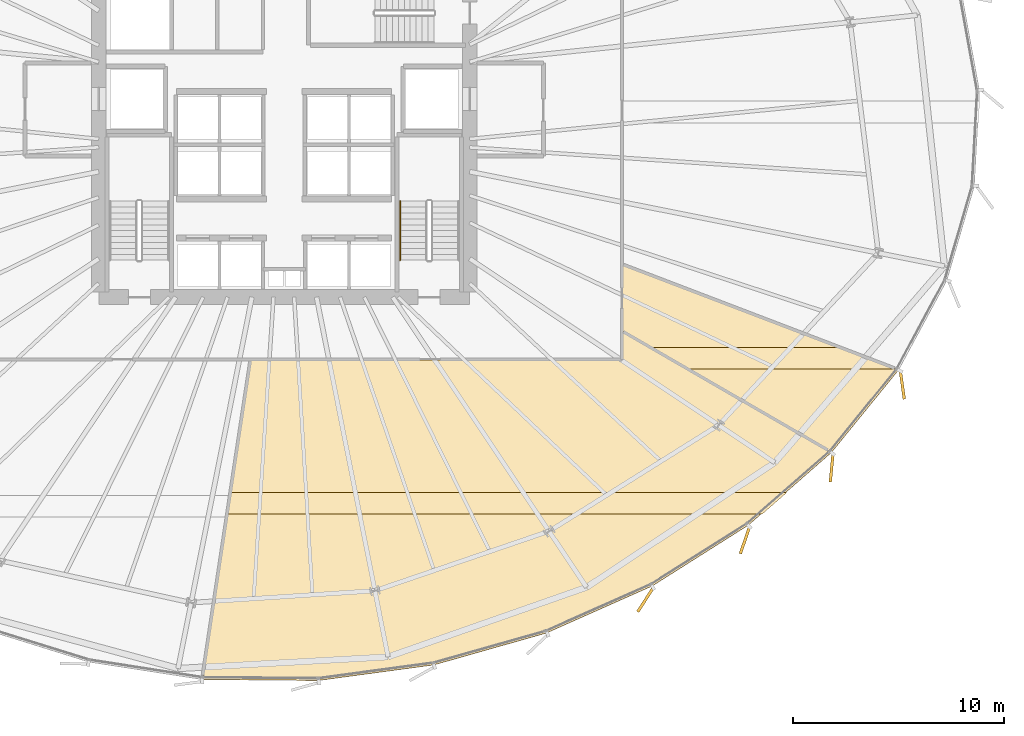
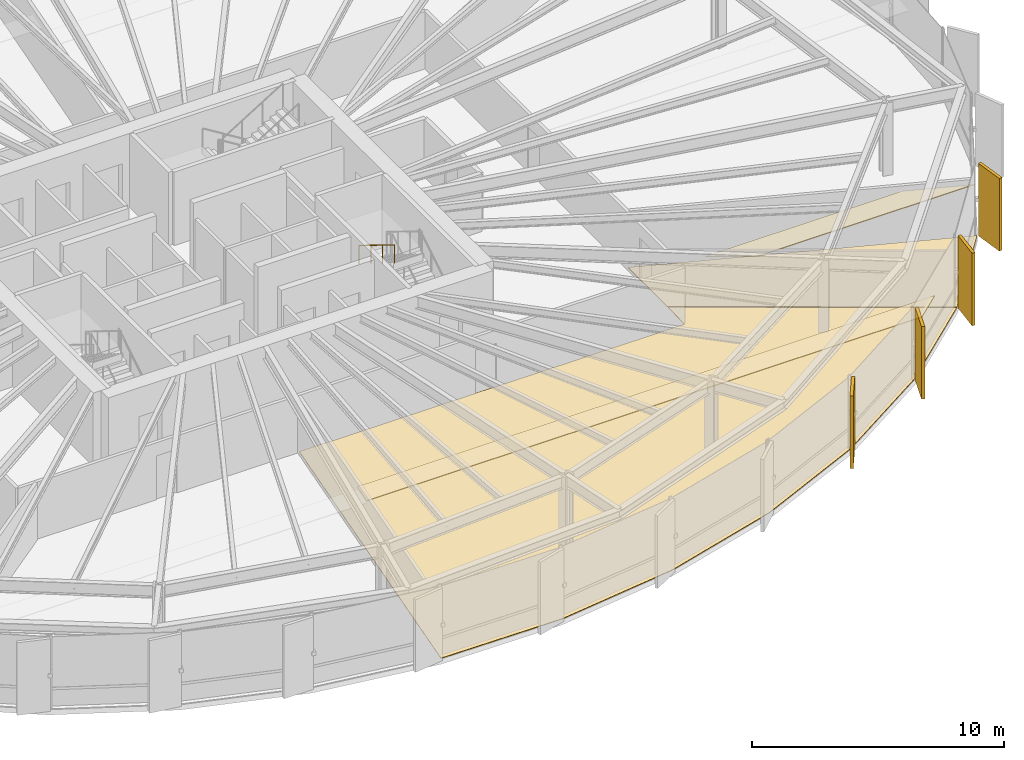
# One storey, part 37 of 39: 8 coverings, 1 railing.
"""IFC4 building model written with IfcOpenShell, lengths in metres."""

from ifc_helpers import new_model, si_unit, direction, frame, origin, origin_2d, place, context, subcontext, project, spatial, polyline, rectangle, circle, outline, extrude, source, transform, mapped, material, layer, layer_set, type_object, element, save


model = new_model("IFC4")

# Units and contexts
model_context = context("Model", 3, precision=1e-05, world=origin(), true_north=direction((0.0, 1.0)))
body_context = subcontext(model_context, "Body", "Model", "MODEL_VIEW")
ifc_project = project(units=[si_unit("LENGTHUNIT", "METRE"), si_unit("AREAUNIT", "SQUARE_METRE"), si_unit("VOLUMEUNIT", "CUBIC_METRE"), si_unit("PLANEANGLEUNIT", "RADIAN"), si_unit("MASSUNIT", "GRAM", prefix="KILO"), si_unit("THERMODYNAMICTEMPERATUREUNIT", "KELVIN")], contexts=[model_context])

# Site, building, storey
site_placement = place(None, origin())
site = spatial("IfcSite", under=ifc_project, at=site_placement, CompositionType="ELEMENT")
building_placement = place(site_placement, origin())
building = spatial("IfcBuilding", under=site, at=building_placement, Name="Kethvar Cultural Tower", CompositionType="ELEMENT")
storey_placement = place(building_placement, frame((0.0, 0.0, 44.800048828125)))
storey = spatial("IfcBuildingStorey", under=building, at=storey_placement, Name="L10", CompositionType="ELEMENT", Elevation=44.800048828125)

# Coverings
ifc_material_1 = material(Name="Acoustic Mineral Fibre Ceiling")
ifc_layer_1 = layer(ifc_material_1, 0.0400390625, Name="Acoustic Mineral Fibre Ceiling")
ifc_layer_set_1 = layer_set([ifc_layer_1], Name="Acoustic Mineral Fibre Ceiling (40 mm)")
covering_type_1 = type_object("IfcCoveringType", Name="CV-ACOUSTIC-CEIL", PredefinedType="CEILING", material=ifc_layer_set_1)
covering_1_placement = place(storey_placement, frame((0.0, 0.0, 2.449951171875)))
element("IfcCovering", 1, at=covering_1_placement, inside=storey, type_object=covering_type_1, Name="L10 Room 02 Acoustic Ceiling Panel", PredefinedType="CEILING", context=body_context, shape_type="SweptSolid", body=[
    extrude(outline(polyline([(44.232177734375, 10.83251953125), (70.66259765625, 10.83251953125), (69.485107421875, 9.802490234375), (44.077392578125, 9.802490234375), (44.232177734375, 10.83251953125)])), origin(), (0.0, 0.0, 1.0), 0.0400390625),
])
covering_2_placement = place(storey_placement, frame((0.0, 0.0, 2.449951171875)))
element("IfcCovering", 2, at=covering_2_placement, inside=storey, type_object=covering_type_1, Name="L10 Room 03 Acoustic Ceiling Panel", PredefinedType="CEILING", context=body_context, shape_type="SweptSolid", body=[
    extrude(outline(polyline([(64.126953125, 17.71435546875), (73.18359375, 17.71435546875), (75.872314453125, 16.684326171875), (65.900634765625, 16.684326171875), (64.126953125, 17.71435546875)])), origin(), (0.0, 0.0, 1.0), 0.0400390625),
])
ifc_material_2 = material(Name="Honed Warm Limestone", Category="masonry")
ifc_layer_2 = layer(ifc_material_2, 0.030029296875, Name="Honed Warm Limestone", Category="masonry")
ifc_layer_set_2 = layer_set([ifc_layer_2], Name="Honed Warm Limestone (30 mm)")
covering_type_2 = type_object("IfcCoveringType", Name="CV-STONE-FLOOR", PredefinedType="FLOORING", material=ifc_layer_set_2)
covering_3_placement = place(storey_placement, origin())
element("IfcCovering", 3, at=covering_3_placement, inside=storey, type_object=covering_type_2, Name="L10 Room 02 Floor Finish", PredefinedType="FLOORING", context=body_context, shape_type="SweptSolid", body=[
    extrude(outline(polyline([(68.81884765625, 9.272705078125), (64.2548828125, 6.3857421875), (59.232421875, 4.154296875), (53.908203125, 2.64599609375), (48.42919921875, 1.90625), (42.939697265625, 1.95458984375), (45.216552734375, 17.1201171875), (62.83203125, 17.1201171875), (62.85009765625, 18.455810546875), (72.74658203125, 12.70849609375), (68.81884765625, 9.272705078125)])), origin(), (0.0, 0.0, 1.0), 0.030029296875),
])
covering_4_placement = place(storey_placement, origin())
element("IfcCovering", 4, at=covering_4_placement, inside=storey, type_object=covering_type_2, Name="L10 Room 03 Floor Finish", PredefinedType="FLOORING", context=body_context, shape_type="SweptSolid", body=[
    extrude(outline(polyline([(72.776123046875, 12.737548828125), (62.85009765625, 18.502197265625), (62.85009765625, 21.6298828125), (75.93310546875, 16.6181640625), (72.776123046875, 12.737548828125)])), origin(), (0.0, 0.0, 1.0), 0.030029296875),
])

# Railing
ifc_material_3 = material(Name="Steel S355J2", Category="steel")
railing_type = type_object("IfcRailingType", Name="RL-STAIR-HANDRAIL", PredefinedType="HANDRAIL", material=ifc_material_3)
railing_placement = place(storey_placement, frame((52.300048828125, 24.64990234375, 2.07275390625)))
element("IfcRailing", 5, at=railing_placement, inside=storey, type_object=railing_type, Name="L10 ST-02 stair handrail 2", PredefinedType="HANDRAIL", context=body_context, shape_type="SweptSolid", body=[
    extrude(circle(Radius=0.02392578125, at=origin_2d()), frame((0.0, 0.0, 0.8759765625), z_axis=(0.0, -0.851069175582, 0.525053576669), x_axis=(1.0, 0.0, 0.0)), (0.0, 0.0, 1.0), 3.289794921875),
    extrude(circle(Radius=0.02099609375, at=origin_2d()), origin(), (0.0, 0.0, 1.0), 0.851806640625),
    extrude(circle(Radius=0.02099609375, at=origin_2d()), frame((0.0, -0.933349609375, 0.57568359375)), (0.0, 0.0, 1.0), 0.851806640625),
    extrude(circle(Radius=0.02099609375, at=origin_2d()), frame((0.0, -1.866455078125, 1.151611328125)), (0.0, 0.0, 1.0), 0.851806640625),
    extrude(circle(Radius=0.02099609375, at=origin_2d()), frame((0.0, -2.7998046875, 1.727294921875)), (0.0, 0.0, 1.0), 0.851806640625),
])

# Coverings
ifc_material_4 = material(Name="Extruded Architectural Terracotta", Category="masonry")
ifc_layer_3 = layer(ifc_material_4, 0.135009765625, Name="Extruded Architectural Terracotta", Category="masonry")
ifc_layer_set_3 = layer_set([ifc_layer_3], Name="Extruded Architectural Terracotta (135 mm)")
covering_type_3 = type_object("IfcCoveringType", Name="Terracotta Facade Fin FIN-01", PredefinedType="CLADDING", material=ifc_layer_set_3)
shared_shape = source(origin(), body_context, "Body", "SweptSolid", [
    extrude(rectangle(XDim=1.35009765625, YDim=0.135009765625, at=origin_2d()), origin(), (0.0, 0.0, 1.0), 3.510009765625),
])
for number, where, z_axis, x_axis, name in (
    (6, (63.942626953125, 5.732421875, 0.02001953125), (0.0, 0.0, 1.0), (-0.540093440912, -0.841605058851, 0.0), "L10 Vertical Terracotta Fin 6.2"),
    (7, (68.663818359375, 8.55810546875, 0.02001953125), (0.0, 0.0, 1.0), (-0.325568154457, -0.945518575599, 0.0), "L10 Vertical Terracotta Fin 6.3"),
    (8, (72.778076171875, 11.9892578125, 0.02001953125), (0.0, 0.0, 1.0), (-0.09601948047, -0.995379454967, 0.0), "L10 Vertical Terracotta Fin 6.4"),
    (9, (76.131591796875, 15.920654296875, 0.02001953125), (0.0, 0.0, 1.0), (0.140728438067, -0.990048234542, 0.0), "L10 Vertical Terracotta Fin 6.5"),
):
    element("IfcCovering", number, at=place(storey_placement, frame(where, z_axis=z_axis, x_axis=x_axis)), inside=storey, type_object=covering_type_3, Name=name, PredefinedType="CLADDING", context=body_context, shape_type="MappedRepresentation", body=[
        mapped(shared_shape, transform((0.0, 0.0, 0.0), scale=1.0)),
    ])

save(model, "model.ifc")
